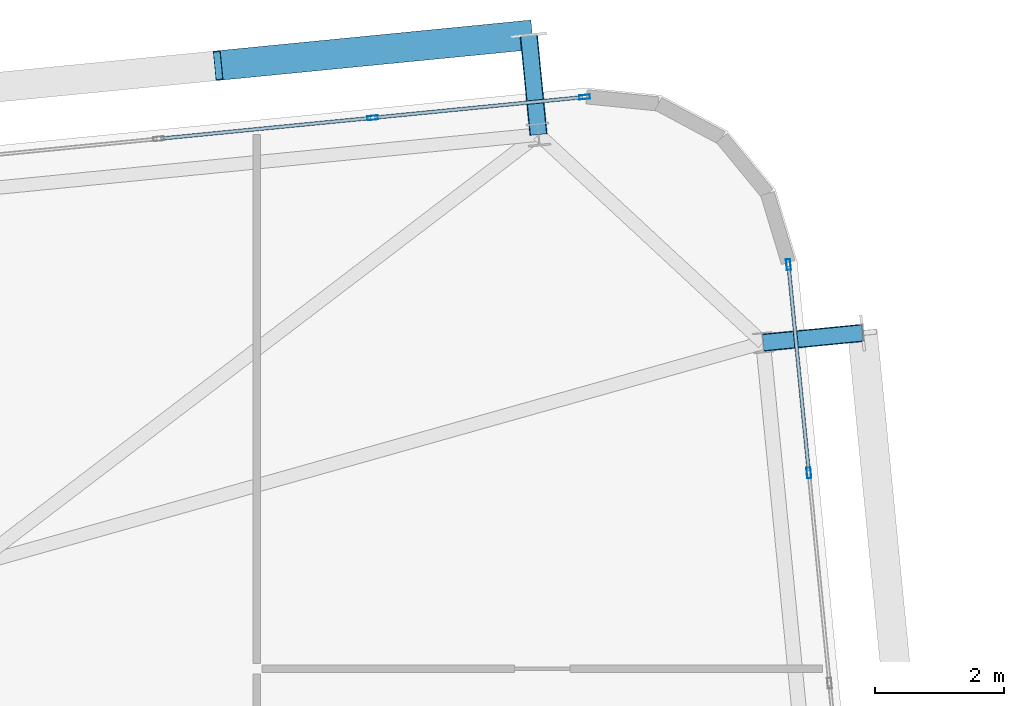
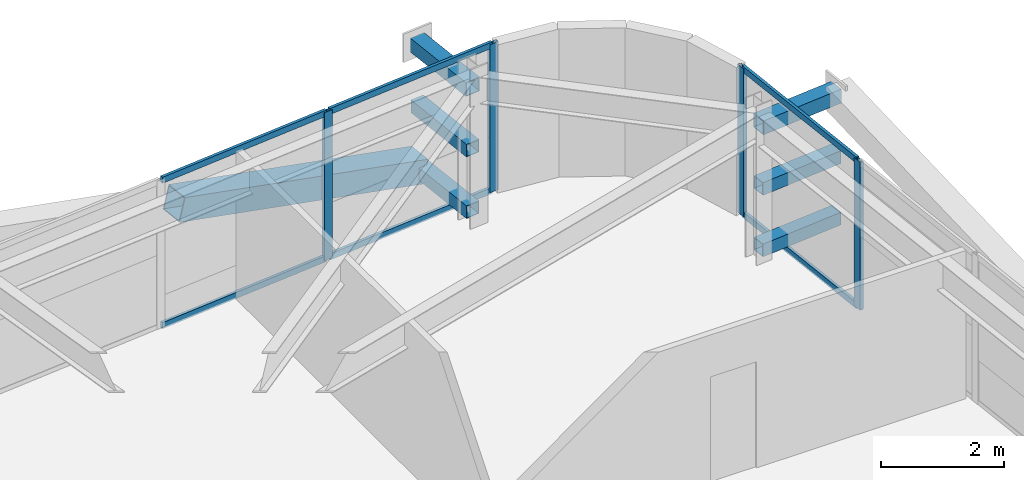
# One storey, part 35 of 53: 17 members, 2 elements without a shape of their own.
"""IFC4 building model written with IfcOpenShell, lengths in metres."""

from ifc_helpers import new_model, si_unit, direction, frame, origin, origin_2d, place, context, subcontext, project, spatial, hollow_rectangle, extrude, source, transform, mapped, material, layer, layer_set, material_profile, profile_set, type_object, element, aggregate, save


model = new_model("IFC4")

# Units and contexts
model_context = context("Model", 3, precision=1e-05, world=origin(), true_north=direction((0.0, 1.0)))
body_context = subcontext(model_context, "Body", "Model", "MODEL_VIEW")
ifc_project = project(units=[si_unit("LENGTHUNIT", "METRE"), si_unit("AREAUNIT", "SQUARE_METRE"), si_unit("VOLUMEUNIT", "CUBIC_METRE"), si_unit("PLANEANGLEUNIT", "RADIAN"), si_unit("MASSUNIT", "GRAM", prefix="KILO")], contexts=[model_context])

# Site, building, storey
site_placement = place(None, origin())
site = spatial("IfcSite", under=ifc_project, at=site_placement, CompositionType="ELEMENT")
building_placement = place(site_placement, origin())
building = spatial("IfcBuilding", under=site, at=building_placement, Name="Taldren Reach Tower", CompositionType="ELEMENT")
storey_placement = place(building_placement, frame((0.0, 0.0, 84.0)))
storey = spatial("IfcBuildingStorey", under=building, at=storey_placement, Name="L25", CompositionType="ELEMENT", Elevation=84.0)

# Members
ifc_material_1 = material(Name="Steel Gr 450 (C450L0)", Category="steel")
ifc_material_profile_1 = material_profile(ifc_material_1, hollow_rectangle(XDim=0.27490234375, YDim=0.27490234375, WallThickness=0.00927734375, at=origin_2d()), Name="275x275x9.3SHS")
ifc_profile_set_1 = profile_set([ifc_material_profile_1], Name="Steel Gr 450 (C450L0)")
member_type_1 = type_object("IfcMemberType", Name="MB-TIE273", PredefinedType="STRUT", material=ifc_profile_set_1)
shared_shape_1 = source(origin(), body_context, "Body", "SweptSolid", [
    extrude(hollow_rectangle(XDim=0.27490234375, YDim=0.27490234375, WallThickness=0.00927734375, at=origin_2d()), origin(), (0.0, 0.0, 1.0), 1.5498046875),
])
for number, where, z_axis, x_axis, name in (
    (1, (59.765869140625, 38.679931640625, 2.64990234375), (-0.097663201064, 0.995219523099, 0.0), (-0.995219523099, -0.097663201064, 0.0), "Exoskeleton diaphragm tie strut B2-N6 L25"),
    (2, (63.247314453125, 35.454345703125, 2.64990234375), (0.995234821595, 0.097507178627, 0.0), (-0.097507178627, 0.995234821595, 0.0), "Exoskeleton diaphragm tie strut B2-E3 L25"),
):
    element("IfcMember", number, at=place(storey_placement, frame(where, z_axis=z_axis, x_axis=x_axis)), inside=storey, type_object=member_type_1, Name=name, PredefinedType="STRUT", context=body_context, shape_type="MappedRepresentation", body=[
        mapped(shared_shape_1, transform((0.0, 0.0, 0.0), scale=1.0)),
    ])
ifc_material_2 = material(Name="Steel Gr 350 (C350L0)", Category="steel")
ifc_material_profile_2 = material_profile(ifc_material_2, hollow_rectangle(XDim=0.25, YDim=0.25, WallThickness=0.010009765625, at=origin_2d()), Name="250x250x10.0SHS")
ifc_profile_set_2 = profile_set([ifc_material_profile_2], Name="Steel Gr 350 (C350L0)")
member_type_2 = type_object("IfcMemberType", Name="MB-POST250", PredefinedType="POST", material=ifc_profile_set_2)
shared_shape_2 = source(origin(), body_context, "Body", "SweptSolid", [
    extrude(hollow_rectangle(XDim=0.25, YDim=0.25, WallThickness=0.010009765625, at=origin_2d()), origin(), (0.0, 0.0, 1.0), 1.5498046875),
])
for number, where, z_axis, x_axis, name in (
    (3, (59.765869140625, 38.679931640625, 0.219970703125), (-0.097663201064, 0.995219523099, 0.0), (-0.995219523099, -0.097663201064, 0.0), "Exoskeleton base diaphragm tie strut B2-N6 L25"),
    (4, (63.247314453125, 35.454345703125, 0.219970703125), (0.995234821595, 0.097507178627, 0.0), (-0.097507178627, 0.995234821595, 0.0), "Exoskeleton base diaphragm tie strut B2-E3 L25"),
    (5, (59.765869140625, 38.679931640625, 1.43505859375), (-0.097663201064, 0.995219523099, 0.0), (-0.995219523099, -0.097663201064, 0.0), "Exoskeleton mid-tier diaphragm tie B2-N6 L25"),
    (6, (63.247314453125, 35.454345703125, 1.43505859375), (0.995234821595, 0.097507178627, 0.0), (-0.097507178627, 0.995234821595, 0.0), "Exoskeleton mid-tier diaphragm tie B2-E3 L25"),
):
    element("IfcMember", number, at=place(storey_placement, frame(where, z_axis=z_axis, x_axis=x_axis)), inside=storey, type_object=member_type_2, Name=name, PredefinedType="POST", context=body_context, shape_type="MappedRepresentation", body=[
        mapped(shared_shape_2, transform((0.0, 0.0, 0.0), scale=1.0)),
    ])
ifc_material_profile_3 = material_profile(ifc_material_1, hollow_rectangle(XDim=0.4599609375, YDim=0.4599609375, WallThickness=0.01611328125, at=origin_2d()), Name="460x460x16.0SHS")
ifc_profile_set_3 = profile_set([ifc_material_profile_3], Name="Steel Gr 450 (C450L0)")
member_type_3 = type_object("IfcMemberType", Name="MB-EXO457", PredefinedType="BRACE", material=ifc_profile_set_3)
shared_shape_3 = source(origin(), body_context, "Body", "SweptSolid", [
    extrude(hollow_rectangle(XDim=0.4599609375, YDim=0.4599609375, WallThickness=0.01611328125, at=origin_2d()), origin(), (0.0, 0.0, 1.0), 4.990234375),
])
member_1_placement = place(storey_placement, frame((59.614501953125, 40.222412109375, 0.219970703125), z_axis=(-0.965275526283, -0.094619506732, 0.243496010862), x_axis=(0.097555749586, -0.995230061706, 0.0)))
element("IfcMember", 7, at=member_1_placement, inside=storey, type_object=member_type_3, Name="Exoskeleton Diagrid Brace B2-N5 L25", PredefinedType="BRACE", context=body_context, shape_type="MappedRepresentation", body=[
    mapped(shared_shape_3, transform((0.0, 0.0, 0.0), scale=1.0)),
])

# Curtain wall, members
ifc_material_3 = material(Name="Aluminium and Low-E Glass Unitised System", Category="aluminium")
ifc_layer = layer(ifc_material_3, 0.159912109375)
ifc_layer_set = layer_set([ifc_layer], Name="Aluminium and Low-E Glass Unitised System")
curtain_wall_type = type_object("IfcCurtainWallType", Name="CW-SYS-3", PredefinedType="NOTDEFINED", material=ifc_layer_set)
curtain_wall_1_placement = place(storey_placement, origin())
curtain_wall_1 = element("IfcCurtainWall", 8, at=curtain_wall_1_placement, inside=storey, type_object=curtain_wall_type, Name="Unitised curtain wall CW-L25-N", PredefinedType="NOTDEFINED")
ifc_material_4 = material(Name="Anodised Aluminium 6063-T6", Category="aluminium")
ifc_material_profile_4 = material_profile(ifc_material_4, hollow_rectangle(XDim=0.06494140625, YDim=0.1650390625, WallThickness=0.00390625, at=origin_2d()), Name="ALU-165x65x4RHS")
ifc_profile_set_4 = profile_set([ifc_material_profile_4], Name="Anodised Aluminium 6063-T6")
member_type_4 = type_object("IfcMemberType", Name="CW-MUL-165", PredefinedType="MULLION", material=ifc_profile_set_4)
shared_shape_4 = source(origin(), body_context, "Body", "SweptSolid", [
    extrude(hollow_rectangle(XDim=0.06494140625, YDim=0.1650390625, WallThickness=0.00390625, at=origin_2d()), origin(), (0.0, 0.0, 1.0), 2.929931640625),
])
member_2_placement = place(storey_placement, frame((60.47998046875, 39.262451171875, 0.0), z_axis=(0.0, 0.0, 1.0), x_axis=(0.097582999046, -0.995227390247, 0.0)))
member_2 = element("IfcMember", 9, at=member_2_placement, type_object=member_type_4, Name="CW-3 mullion 1", PredefinedType="MULLION", context=body_context, shape_type="MappedRepresentation", body=[
    mapped(shared_shape_4, transform((0.0, 0.0, 0.0), scale=1.0)),
])
member_3_placement = place(storey_placement, frame((57.19482421875, 38.940185546875, 0.0), z_axis=(0.0, 0.0, 1.0), x_axis=(0.097582999046, -0.995227390247, 0.0)))
member_3 = element("IfcMember", 10, at=member_3_placement, type_object=member_type_4, Name="CW-3 mullion 2", PredefinedType="MULLION", context=body_context, shape_type="MappedRepresentation", body=[
    mapped(shared_shape_4, transform((0.0, 0.0, 0.0), scale=1.0)),
])

curtain_wall_2_placement = place(storey_placement, origin())
curtain_wall_2 = element("IfcCurtainWall", 11, at=curtain_wall_2_placement, inside=storey, type_object=curtain_wall_type, Name="Unitised curtain wall CW-L25-E", PredefinedType="NOTDEFINED")
member_4_placement = place(storey_placement, frame((63.95751953125, 33.43603515625, 0.0), z_axis=(0.0, 0.0, 1.0), x_axis=(-0.99522741555, -0.09758274098, 0.0)))
member_4 = element("IfcMember", 12, at=member_4_placement, type_object=member_type_4, Name="CW-3 mullion 9", PredefinedType="MULLION", context=body_context, shape_type="MappedRepresentation", body=[
    mapped(shared_shape_4, transform((0.0, 0.0, 0.0), scale=1.0)),
])
member_5_placement = place(storey_placement, frame((63.640869140625, 36.666015625, 0.0), z_axis=(0.0, 0.0, 1.0), x_axis=(-0.99522741555, -0.09758274098, 0.0)))
member_5 = element("IfcMember", 13, at=member_5_placement, type_object=member_type_4, Name="CW-3 mullion 10", PredefinedType="MULLION", context=body_context, shape_type="MappedRepresentation", body=[
    mapped(shared_shape_4, transform((0.0, 0.0, 0.0), scale=1.0)),
])

# Member
ifc_material_profile_5 = material_profile(ifc_material_4, hollow_rectangle(XDim=0.054931640625, YDim=0.1201171875, WallThickness=0.0029296875, at=origin_2d()), Name="ALU-120x55x3RHS")
ifc_profile_set_5 = profile_set([ifc_material_profile_5], Name="Anodised Aluminium 6063-T6")
member_type_5 = type_object("IfcMemberType", Name="CW-TRN-135", PredefinedType="USERDEFINED", material=ifc_profile_set_5)
shared_shape_5 = source(origin(), body_context, "Body", "SweptSolid", [
    extrude(hollow_rectangle(XDim=0.054931640625, YDim=0.1201171875, WallThickness=0.0029296875, at=origin_2d()), origin(), (0.0, 0.0, 1.0), 3.23583984375),
])
member_6_placement = place(storey_placement, frame((60.447509765625, 39.25927734375, 0.027587890625), z_axis=(-0.995222920971, -0.097628569459, 0.0), x_axis=(0.097628569459, -0.995222920971, 0.0)))
member_6 = element("IfcMember", 14, at=member_6_placement, type_object=member_type_5, Name="CW-3 transom 1.1", ObjectType="TRANSOM", PredefinedType="USERDEFINED", context=body_context, shape_type="MappedRepresentation", body=[
    mapped(shared_shape_5, transform((0.0, 0.0, 0.0), scale=1.0)),
])

member_7_placement = place(storey_placement, frame((60.447509765625, 39.25927734375, 2.902587890625), z_axis=(-0.995222920971, -0.097628569459, 0.0), x_axis=(0.097628569459, -0.995222920971, 0.0)))
member_7 = element("IfcMember", 15, at=member_7_placement, type_object=member_type_5, Name="CW-3 transom 1.2", ObjectType="TRANSOM", PredefinedType="USERDEFINED", context=body_context, shape_type="MappedRepresentation", body=[
    mapped(shared_shape_5, transform((0.0, 0.0, 0.0), scale=1.0)),
])

shared_shape_6 = source(origin(), body_context, "Body", "SweptSolid", [
    extrude(hollow_rectangle(XDim=0.054931640625, YDim=0.1201171875, WallThickness=0.0029296875, at=origin_2d()), origin(), (0.0, 0.0, 1.0), 3.2685546875),
])
member_8_placement = place(storey_placement, frame((57.16259765625, 38.93701171875, 0.027587890625), z_axis=(-0.99523051601, -0.097551114824, 0.0), x_axis=(0.097551114824, -0.99523051601, 0.0)))
member_8 = element("IfcMember", 16, at=member_8_placement, type_object=member_type_5, Name="CW-3 transom 2.1", ObjectType="TRANSOM", PredefinedType="USERDEFINED", context=body_context, shape_type="MappedRepresentation", body=[
    mapped(shared_shape_6, transform((0.0, 0.0, 0.0), scale=1.0)),
])

member_9_placement = place(storey_placement, frame((57.16259765625, 38.93701171875, 2.902587890625), z_axis=(-0.99523051601, -0.097551114824, 0.0), x_axis=(0.097551114824, -0.99523051601, 0.0)))
member_9 = element("IfcMember", 17, at=member_9_placement, type_object=member_type_5, Name="CW-3 transom 2.2", ObjectType="TRANSOM", PredefinedType="USERDEFINED", context=body_context, shape_type="MappedRepresentation", body=[
    mapped(shared_shape_6, transform((0.0, 0.0, 0.0), scale=1.0)),
])

aggregate(curtain_wall_1, [member_2, member_3, member_6, member_7, member_8, member_9])

shared_shape_7 = source(origin(), body_context, "Body", "SweptSolid", [
    extrude(hollow_rectangle(XDim=0.054931640625, YDim=0.1201171875, WallThickness=0.0029296875, at=origin_2d()), origin(), (0.0, 0.0, 1.0), 3.18017578125),
])
member_10_placement = place(storey_placement, frame((63.954345703125, 33.468505859375, 0.027587890625), z_axis=(-0.097572914968, 0.995228378949, 0.0), x_axis=(-0.995228378949, -0.097572914968, 0.0)))
member_10 = element("IfcMember", 18, at=member_10_placement, type_object=member_type_5, Name="CW-3 transom 9.1", ObjectType="TRANSOM", PredefinedType="USERDEFINED", context=body_context, shape_type="MappedRepresentation", body=[
    mapped(shared_shape_7, transform((0.0, 0.0, 0.0), scale=1.0)),
])

member_11_placement = place(storey_placement, frame((63.954345703125, 33.468505859375, 2.902587890625), z_axis=(-0.097572914968, 0.995228378949, 0.0), x_axis=(-0.995228378949, -0.097572914968, 0.0)))
member_11 = element("IfcMember", 19, at=member_11_placement, type_object=member_type_5, Name="CW-3 transom 9.2", ObjectType="TRANSOM", PredefinedType="USERDEFINED", context=body_context, shape_type="MappedRepresentation", body=[
    mapped(shared_shape_7, transform((0.0, 0.0, 0.0), scale=1.0)),
])

aggregate(curtain_wall_2, [member_4, member_5, member_10, member_11])

save(model, "model.ifc")
